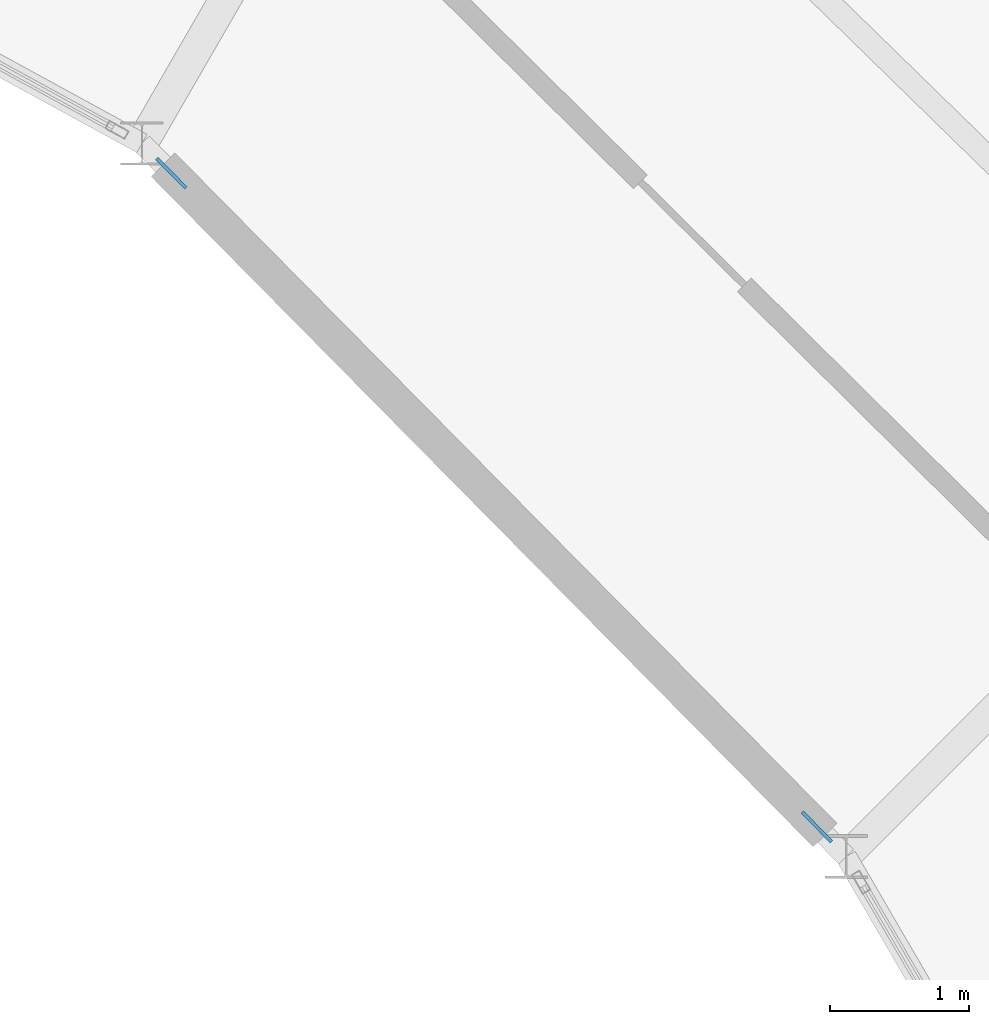
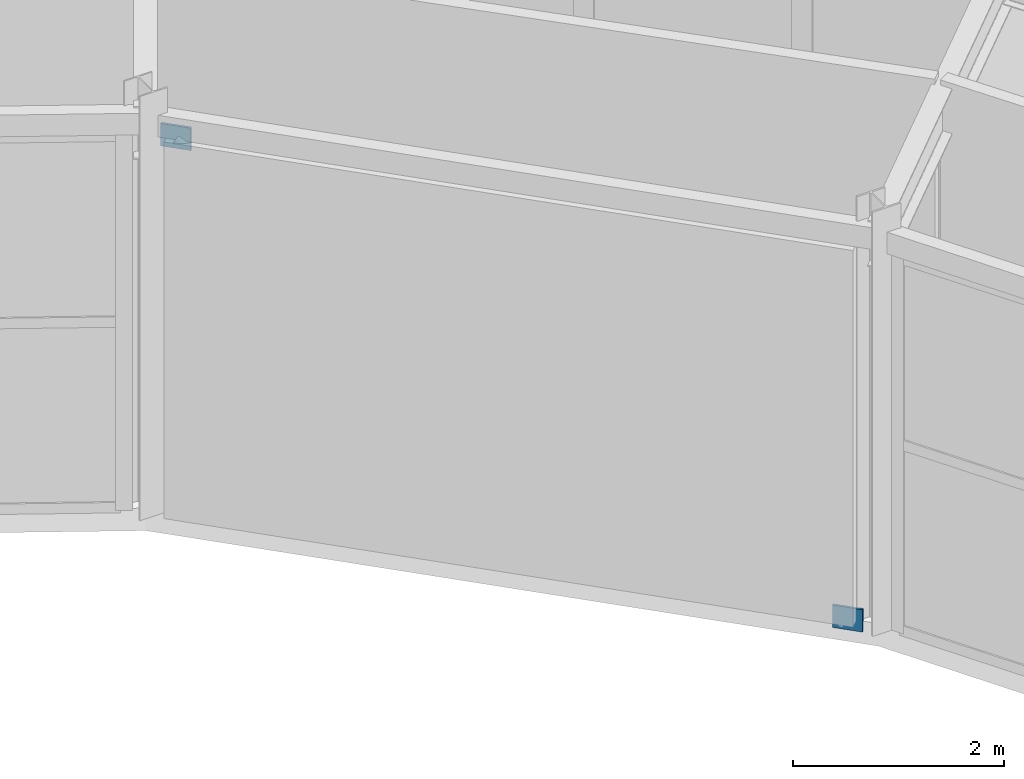
# One storey, part 119 of 144: 2 plates.
"""IFC4 building model written with IfcOpenShell, lengths in metres."""

from ifc_helpers import new_model, si_unit, direction, frame, origin, origin_2d, place, context, subcontext, project, spatial, rectangle, extrude, material, layer, layer_set, type_object, element, save


model = new_model("IFC4")

# Units and contexts
model_context = context("Model", 3, precision=1e-05, world=origin(), true_north=direction((0.0, 1.0)))
body_context = subcontext(model_context, "Body", "Model", "MODEL_VIEW")
ifc_project = project(units=[si_unit("LENGTHUNIT", "METRE"), si_unit("AREAUNIT", "SQUARE_METRE"), si_unit("VOLUMEUNIT", "CUBIC_METRE"), si_unit("PLANEANGLEUNIT", "RADIAN"), si_unit("MASSUNIT", "GRAM", prefix="KILO")], contexts=[model_context])

# Site, building, storey
site_placement = place(None, origin())
site = spatial("IfcSite", under=ifc_project, at=site_placement, CompositionType="ELEMENT")
building_placement = place(site_placement, origin())
building = spatial("IfcBuilding", under=site, at=building_placement, Name="Karori Crest Natural Sciences Institute", CompositionType="ELEMENT")
storey_placement = place(building_placement, origin())
storey = spatial("IfcBuildingStorey", under=building, at=storey_placement, Name="L00", CompositionType="ELEMENT", Elevation=0.0)

# Plates
ifc_material = material(Name="Structural steel AS/NZS 3679.1 Grade 350", Category="steel")
ifc_layer = layer(ifc_material, 0.02490234375, Name="Structural steel AS/NZS 3679.1 Grade 350")
ifc_layer_set = layer_set([ifc_layer], Name="Structural steel AS/NZS 3679.1 Grade 350")
plate_type = type_object("IfcPlateType", Name="PLT-06", PredefinedType="SHEET", material=ifc_layer_set)
for number, where, z_axis, x_axis, name in (
    (1, (83.442626953125, 72.88232421875, -0.11962890625), (0.0, 0.0, 1.0), (-0.702663630174, 0.711522187167, 0.0), "Brace gusset plate EP-0009"),
    (2, (78.810791015625, 77.572509765625, 4.220703125), (0.0, 0.0, 1.0), (-0.702663630174, 0.711522187167, 0.0), "Brace gusset plate EP-0010"),
):
    element("IfcPlate", number, at=place(storey_placement, frame(where, z_axis=z_axis, x_axis=x_axis)), inside=storey, type_object=plate_type, Name=name, PredefinedType="SHEET", context=body_context, shape_type="SweptSolid", body=[
        extrude(rectangle(XDim=0.299072265625, YDim=0.02490234375, at=origin_2d()), origin(), (0.0, 0.0, 1.0), 0.259033203125),
    ])

save(model, "model.ifc")
